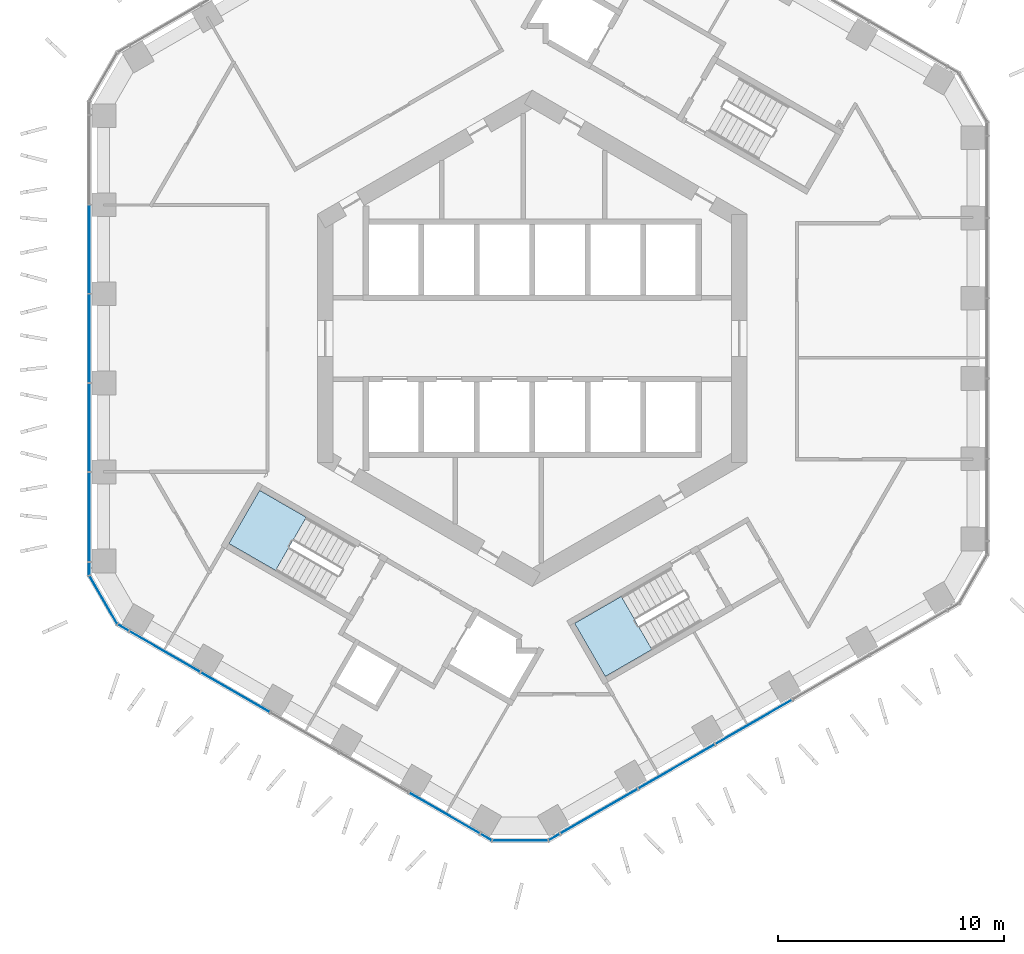
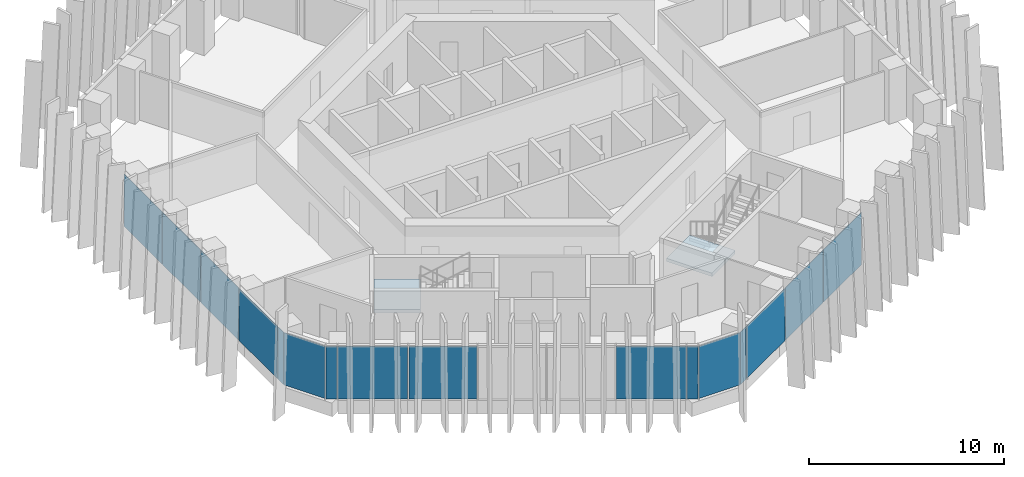
# One storey, part 9 of 19: 16 plates, 2 slabs, 7 elements without a shape of their own.
"""IFC4 building model written with IfcOpenShell, lengths in metres."""

from ifc_helpers import new_model, si_unit, direction, frame, origin, origin_2d, place, context, subcontext, project, spatial, polyline, rectangle, outline, extrude, material, layer, layer_set, type_object, element, aggregate, save


model = new_model("IFC4")

# Units and contexts
model_context = context("Model", 3, precision=1e-05, world=origin(), true_north=direction((0.0, 1.0)))
body_context = subcontext(model_context, "Body", "Model", "MODEL_VIEW")
ifc_project = project(units=[si_unit("LENGTHUNIT", "METRE"), si_unit("AREAUNIT", "SQUARE_METRE"), si_unit("VOLUMEUNIT", "CUBIC_METRE"), si_unit("PLANEANGLEUNIT", "RADIAN"), si_unit("MASSUNIT", "GRAM", prefix="KILO")], contexts=[model_context])

# Site, building, storey
site_placement = place(None, origin())
site = spatial("IfcSite", under=ifc_project, at=site_placement, CompositionType="ELEMENT")
building_placement = place(site_placement, origin())
building = spatial("IfcBuilding", under=site, at=building_placement, Name="Ayvan Gate Tower", CompositionType="ELEMENT")
storey_placement = place(building_placement, frame((0.0, 0.0, 113.699951171875)))
storey = spatial("IfcBuildingStorey", under=building, at=storey_placement, Name="L30", CompositionType="ELEMENT", Elevation=113.699951171875)

# Stair, slab
ifc_material_1 = material(Name="Concrete C40/50", Category="concrete")
stair_type = type_object("IfcStairType", Name="ST-EXIT", PredefinedType="HALF_TURN_STAIR", material=ifc_material_1)
stair_1_placement = place(storey_placement, origin())
stair_1 = element("IfcStair", 1, at=stair_1_placement, inside=storey, type_object=stair_type, Name="L30 Exit Stair S2", PredefinedType="HALF_TURN_STAIR")
ifc_layer_1 = layer(ifc_material_1, 0.199951171875)
ifc_layer_set_1 = layer_set([ifc_layer_1], Name="Concrete C40/50")
slab_type = type_object("IfcSlabType", Name="SL-LANDING-200", PredefinedType="LANDING", material=ifc_layer_set_1)
slab_1_placement = place(storey_placement, frame((0.0, 0.0, 1.5)))
slab_1 = element("IfcSlab", 2, at=slab_1_placement, type_object=slab_type, Name="STS2 landing 1", PredefinedType="LANDING", context=body_context, shape_type="SweptSolid", body=[
    extrude(outline(polyline([(-9.988525390625, -7.91064453125), (-12.049560546875, -6.720458984375), (-13.404541015625, -9.0673828125), (-11.343505859375, -10.257568359375), (-9.988525390625, -7.91064453125)])), origin(), (0.0, 0.0, 1.0), 0.199951171875),
])
aggregate(stair_1, [slab_1])

stair_2_placement = place(storey_placement, origin())
stair_2 = element("IfcStair", 3, at=stair_2_placement, inside=storey, type_object=stair_type, Name="L30 Exit Stair S3", PredefinedType="HALF_TURN_STAIR")
slab_2_placement = place(storey_placement, frame((0.0, 0.0, 1.5)))
slab_2 = element("IfcSlab", 4, at=slab_2_placement, type_object=slab_type, Name="STS3 landing 1", PredefinedType="LANDING", context=body_context, shape_type="SweptSolid", body=[
    extrude(outline(polyline([(3.93505859375, -11.405517578125), (1.873779296875, -12.595458984375), (3.228759765625, -14.9423828125), (5.2900390625, -13.75244140625), (3.93505859375, -11.405517578125)])), origin(), (0.0, 0.0, 1.0), 0.199951171875),
])
aggregate(stair_2, [slab_2])

# Curtain wall, plates
ifc_material_2 = material(Name="Bronze anodised aluminium", Category="aluminium")
ifc_layer_2 = layer(ifc_material_2, 0.199951171875)
ifc_layer_set_2 = layer_set([ifc_layer_2], Name="Bronze anodised aluminium")
curtain_wall_type_1 = type_object("IfcCurtainWallType", Name="Stick curtain wall CW-1", PredefinedType="NOTDEFINED", material=ifc_layer_set_2)
curtain_wall_1_placement = place(storey_placement, origin())
curtain_wall_1 = element("IfcCurtainWall", 5, at=curtain_wall_1_placement, inside=storey, type_object=curtain_wall_type_1, Name="Stick curtain wall CW-1 L30", PredefinedType="NOTDEFINED")
ifc_material_3 = material(Name="Clear low-iron laminated glass", Category="glass")
ifc_layer_3 = layer(ifc_material_3, 0.028076171875)
ifc_layer_set_3 = layer_set([ifc_layer_3], Name="Clear low-iron laminated glass")
plate_type_1 = type_object("IfcPlateType", Name="Stick curtain wall CW-1 glass panel", PredefinedType="CURTAIN_PANEL", material=ifc_layer_set_3)
plate_1_placement = place(storey_placement, frame((-19.576416015625, 3.93701171875, 0.0), z_axis=(0.0, 0.0, 1.0), x_axis=(0.0, -1.0, 0.0)))
plate_1 = element("IfcPlate", 6, at=plate_1_placement, type_object=plate_type_1, Name="CW-1 glass panel 2", PredefinedType="CURTAIN_PANEL", context=body_context, shape_type="SweptSolid", body=[
    extrude(rectangle(XDim=3.876953125, YDim=0.028076171875, at=origin_2d()), origin(), (0.0, 0.0, 1.0), 3.280029296875),
])
plate_2_placement = place(storey_placement, frame((-19.576416015625, 0.0, 0.0), z_axis=(0.0, 0.0, 1.0), x_axis=(0.0, -1.0, 0.0)))
plate_2 = element("IfcPlate", 7, at=plate_2_placement, type_object=plate_type_1, Name="CW-1 glass panel 3", PredefinedType="CURTAIN_PANEL", context=body_context, shape_type="SweptSolid", body=[
    extrude(rectangle(XDim=3.876953125, YDim=0.028076171875, at=origin_2d()), origin(), (0.0, 0.0, 1.0), 3.280029296875),
])
plate_3_placement = place(storey_placement, frame((-19.576416015625, -3.9375, 0.0), z_axis=(0.0, 0.0, 1.0), x_axis=(0.0, -1.0, 0.0)))
plate_3 = element("IfcPlate", 8, at=plate_3_placement, type_object=plate_type_1, Name="CW-1 glass panel 4", PredefinedType="CURTAIN_PANEL", context=body_context, shape_type="SweptSolid", body=[
    extrude(rectangle(XDim=3.8779296875, YDim=0.028076171875, at=origin_2d()), origin(), (0.0, 0.0, 1.0), 3.280029296875),
])
plate_4_placement = place(storey_placement, frame((-19.576416015625, -7.907470703125, 0.0), z_axis=(0.0, 0.0, 1.0), x_axis=(0.0, -1.0, 0.0)))
plate_4 = element("IfcPlate", 9, at=plate_4_placement, type_object=plate_type_1, Name="CW-1 glass panel 5", PredefinedType="CURTAIN_PANEL", context=body_context, shape_type="SweptSolid", body=[
    extrude(rectangle(XDim=3.942138671875, YDim=0.028076171875, at=origin_2d()), origin(), (0.0, 0.0, 1.0), 3.280029296875),
])
aggregate(curtain_wall_1, [plate_1, plate_2, plate_3, plate_4])

curtain_wall_2_placement = place(storey_placement, origin())
curtain_wall_2 = element("IfcCurtainWall", 10, at=curtain_wall_2_placement, inside=storey, type_object=curtain_wall_type_1, Name="Stick curtain wall CW-1 L30", PredefinedType="NOTDEFINED")
plate_5_placement = place(storey_placement, frame((-16.2490234375, -13.84033203125, 0.0), z_axis=(0.0, 0.0, 1.0), x_axis=(0.866025403784, -0.5, 0.0)))
plate_5 = element("IfcPlate", 11, at=plate_5_placement, type_object=plate_type_1, Name="CW-1 glass panel 1", PredefinedType="CURTAIN_PANEL", context=body_context, shape_type="SweptSolid", body=[
    extrude(rectangle(XDim=3.60302734375, YDim=0.028076171875, at=origin_2d()), origin(), (0.0, 0.0, 1.0), 3.280029296875),
])
plate_6_placement = place(storey_placement, frame((-13.126953125, -15.642822265625, 0.0), z_axis=(0.0, 0.0, 1.0), x_axis=(0.866025403784, -0.5, 0.0)))
plate_6 = element("IfcPlate", 12, at=plate_6_placement, type_object=plate_type_1, Name="CW-1 glass panel 2", PredefinedType="CURTAIN_PANEL", context=body_context, shape_type="SweptSolid", body=[
    extrude(rectangle(XDim=3.487060546875, YDim=0.028076171875, at=origin_2d()), origin(), (0.0, 0.0, 1.0), 3.280029296875),
])
plate_7_placement = place(storey_placement, frame((-3.861572265625, -20.9921875, 0.0), z_axis=(0.0, 0.0, 1.0), x_axis=(0.866025403784, -0.5, 0.0)))
plate_7 = element("IfcPlate", 13, at=plate_7_placement, type_object=plate_type_1, Name="CW-1 glass panel 5", PredefinedType="CURTAIN_PANEL", context=body_context, shape_type="SweptSolid", body=[
    extrude(rectangle(XDim=3.60302734375, YDim=0.028076171875, at=origin_2d()), origin(), (0.0, 0.0, 1.0), 3.280029296875),
])
aggregate(curtain_wall_2, [plate_5, plate_6, plate_7])

curtain_wall_3_placement = place(storey_placement, origin())
curtain_wall_3 = element("IfcCurtainWall", 14, at=curtain_wall_3_placement, inside=storey, type_object=curtain_wall_type_1, Name="Stick curtain wall CW-1 L30", PredefinedType="NOTDEFINED")
plate_8_placement = place(storey_placement, frame((2.9404296875, -20.9072265625, 0.0), z_axis=(0.0, 0.0, 1.0), x_axis=(0.866025403784, 0.5, 0.0)))
plate_8 = element("IfcPlate", 15, at=plate_8_placement, type_object=plate_type_1, Name="CW-1 glass panel 1", PredefinedType="CURTAIN_PANEL", context=body_context, shape_type="SweptSolid", body=[
    extrude(rectangle(XDim=3.943115234375, YDim=0.028076171875, at=origin_2d()), origin(), (0.0, 0.0, 1.0), 3.280029296875),
])
plate_9_placement = place(storey_placement, frame((6.378662109375, -18.92236328125, 0.0), z_axis=(0.0, 0.0, 1.0), x_axis=(0.866025403784, 0.5, 0.0)))
plate_9 = element("IfcPlate", 16, at=plate_9_placement, type_object=plate_type_1, Name="CW-1 glass panel 2", PredefinedType="CURTAIN_PANEL", context=body_context, shape_type="SweptSolid", body=[
    extrude(rectangle(XDim=3.876953125, YDim=0.028076171875, at=origin_2d()), origin(), (0.0, 0.0, 1.0), 3.280029296875),
])
plate_10_placement = place(storey_placement, frame((9.7880859375, -16.953857421875, 0.0), z_axis=(0.0, 0.0, 1.0), x_axis=(0.866025403784, 0.5, 0.0)))
plate_10 = element("IfcPlate", 17, at=plate_10_placement, type_object=plate_type_1, Name="CW-1 glass panel 3", PredefinedType="CURTAIN_PANEL", context=body_context, shape_type="SweptSolid", body=[
    extrude(rectangle(XDim=3.876953125, YDim=0.028076171875, at=origin_2d()), origin(), (0.0, 0.0, 1.0), 3.280029296875),
])
aggregate(curtain_wall_3, [plate_8, plate_9, plate_10])

ifc_layer_4 = layer(ifc_material_2, 0.199951171875)
ifc_layer_set_4 = layer_set([ifc_layer_4], Name="Bronze anodised aluminium")
curtain_wall_type_2 = type_object("IfcCurtainWallType", Name="Stick curtain wall CW-6", PredefinedType="NOTDEFINED", material=ifc_layer_set_4)
curtain_wall_4_placement = place(storey_placement, origin())
curtain_wall_4 = element("IfcCurtainWall", 18, at=curtain_wall_4_placement, inside=storey, type_object=curtain_wall_type_2, Name="Stick curtain wall CW-6 L30", PredefinedType="NOTDEFINED")
ifc_layer_5 = layer(ifc_material_3, 0.028076171875)
ifc_layer_set_5 = layer_set([ifc_layer_5], Name="Clear low-iron laminated glass")
plate_type_2 = type_object("IfcPlateType", Name="Stick curtain wall CW-6 glass panel", PredefinedType="CURTAIN_PANEL", material=ifc_layer_set_5)
plate_11_placement = place(storey_placement, frame((-19.576416015625, -10.18359375, 0.0), z_axis=(0.0, 0.0, 1.0), x_axis=(0.0, -1.0, 0.0)))
plate_11 = element("IfcPlate", 19, at=plate_11_placement, type_object=plate_type_2, Name="CW-6 glass panel 1", PredefinedType="CURTAIN_PANEL", context=body_context, shape_type="SweptSolid", body=[
    extrude(rectangle(XDim=0.550048828125, YDim=0.028076171875, at=origin_2d()), origin(), (0.0, 0.0, 1.0), 3.280029296875),
])
plate_12_placement = place(storey_placement, frame((-18.954833984375, -11.560302734375, 0.0), z_axis=(0.0, 0.0, 1.0), x_axis=(0.5, -0.866025403784, 0.0)))
plate_12 = element("IfcPlate", 20, at=plate_12_placement, type_object=plate_type_2, Name="CW-6 glass panel 2", PredefinedType="CURTAIN_PANEL", context=body_context, shape_type="SweptSolid", body=[
    extrude(rectangle(XDim=2.4365234375, YDim=0.028076171875, at=origin_2d()), origin(), (0.0, 0.0, 1.0), 3.280029296875),
])
plate_13_placement = place(storey_placement, frame((-18.0732421875, -12.787109375, 0.0), z_axis=(0.0, 0.0, 1.0), x_axis=(0.866025403784, -0.5, 0.0)))
plate_13 = element("IfcPlate", 21, at=plate_13_placement, type_object=plate_type_2, Name="CW-6 glass panel 3", PredefinedType="CURTAIN_PANEL", context=body_context, shape_type="SweptSolid", body=[
    extrude(rectangle(XDim=0.550048828125, YDim=0.028076171875, at=origin_2d()), origin(), (0.0, 0.0, 1.0), 3.280029296875),
])
aggregate(curtain_wall_4, [plate_11, plate_12, plate_13])

curtain_wall_5_placement = place(storey_placement, origin())
curtain_wall_5 = element("IfcCurtainWall", 22, at=curtain_wall_5_placement, inside=storey, type_object=curtain_wall_type_2, Name="Stick curtain wall CW-6 L30", PredefinedType="NOTDEFINED")
plate_14_placement = place(storey_placement, frame((-2.037109375, -22.04541015625, 0.0), z_axis=(0.0, 0.0, 1.0), x_axis=(0.866025403784, -0.5, 0.0)))
plate_14 = element("IfcPlate", 23, at=plate_14_placement, type_object=plate_type_2, Name="CW-6 glass panel 1", PredefinedType="CURTAIN_PANEL", context=body_context, shape_type="SweptSolid", body=[
    extrude(rectangle(XDim=0.550048828125, YDim=0.028076171875, at=origin_2d()), origin(), (0.0, 0.0, 1.0), 3.280029296875),
])
plate_15_placement = place(storey_placement, frame((-0.5341796875, -22.195556640625, 0.0), z_axis=(0.0, 0.0, 1.0), x_axis=(1.0, 0.0, 0.0)))
plate_15 = element("IfcPlate", 24, at=plate_15_placement, type_object=plate_type_2, Name="CW-6 glass panel 2", PredefinedType="CURTAIN_PANEL", context=body_context, shape_type="SweptSolid", body=[
    extrude(rectangle(XDim=2.4365234375, YDim=0.028076171875, at=origin_2d()), origin(), (0.0, 0.0, 1.0), 3.280029296875),
])
plate_16_placement = place(storey_placement, frame((0.968994140625, -22.04541015625, 0.0), z_axis=(0.0, 0.0, 1.0), x_axis=(0.866025403784, 0.5, 0.0)))
plate_16 = element("IfcPlate", 25, at=plate_16_placement, type_object=plate_type_2, Name="CW-6 glass panel 3", PredefinedType="CURTAIN_PANEL", context=body_context, shape_type="SweptSolid", body=[
    extrude(rectangle(XDim=0.550048828125, YDim=0.028076171875, at=origin_2d()), origin(), (0.0, 0.0, 1.0), 3.280029296875),
])
aggregate(curtain_wall_5, [plate_14, plate_15, plate_16])

save(model, "model.ifc")
